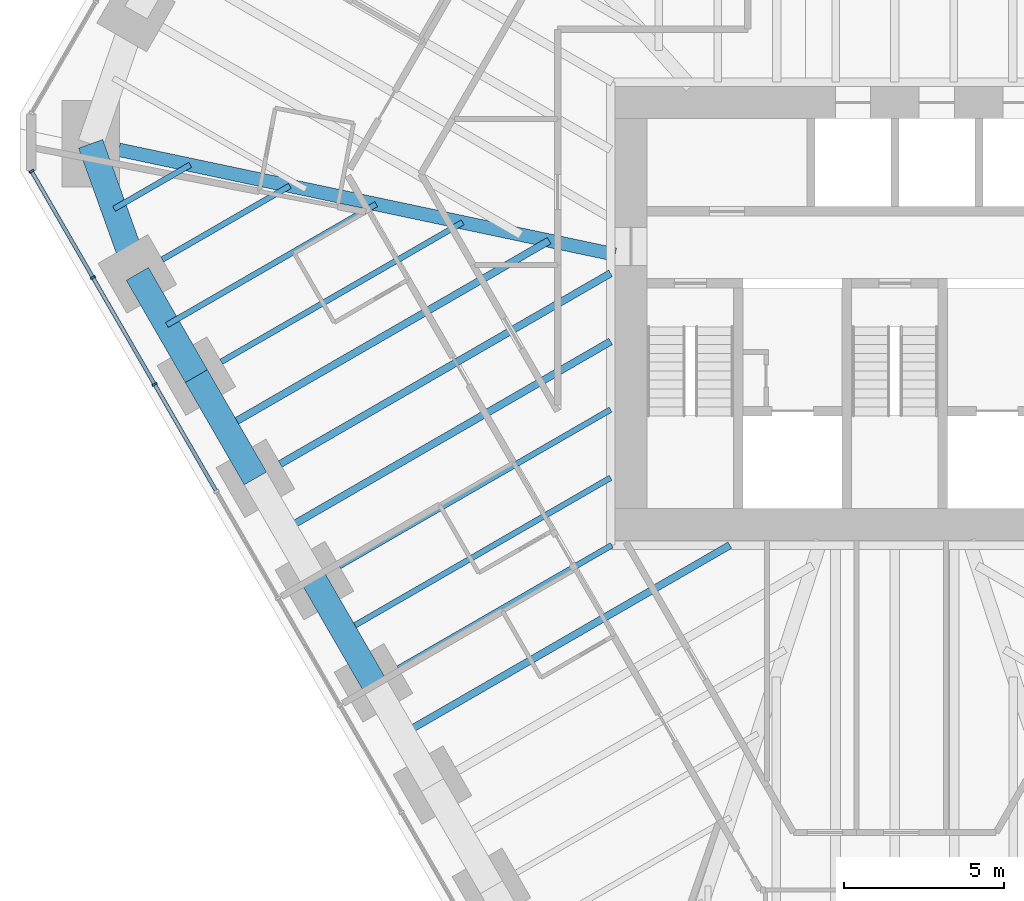
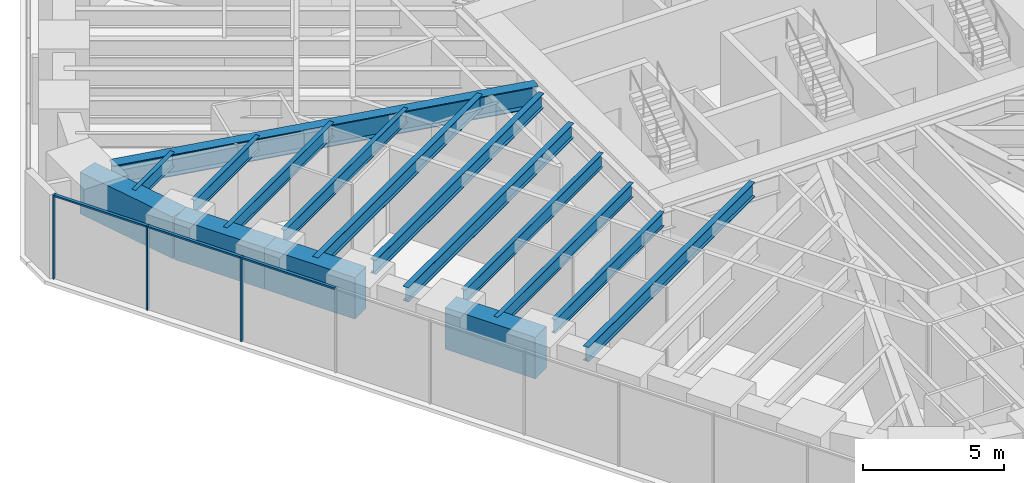
# One storey, part 3 of 16: 16 beams, 6 members, 1 element without a shape of its own.
"""IFC4 building model written with IfcOpenShell, lengths in metres."""

from ifc_helpers import new_model, si_unit, direction, frame, origin, origin_2d, place, context, subcontext, project, spatial, rectangle, i_section, extrude, material, material_profile, profile_set, type_object, element, aggregate, save


model = new_model("IFC4")

# Units and contexts
model_context = context("Model", 3, precision=1e-05, world=origin(), true_north=direction((0.0, 1.0)))
body_context = subcontext(model_context, "Body", "Model", "MODEL_VIEW")
ifc_project = project(units=[si_unit("LENGTHUNIT", "METRE"), si_unit("AREAUNIT", "SQUARE_METRE"), si_unit("VOLUMEUNIT", "CUBIC_METRE"), si_unit("PLANEANGLEUNIT", "RADIAN"), si_unit("MASSUNIT", "GRAM", prefix="KILO")], contexts=[model_context])

# Site, building, storey
site_placement = place(None, origin())
site = spatial("IfcSite", under=ifc_project, at=site_placement, CompositionType="ELEMENT")
building_placement = place(site_placement, origin())
building = spatial("IfcBuilding", under=site, at=building_placement, Name="Sandreach Pilgrim Tower", CompositionType="ELEMENT")
storey_placement = place(building_placement, frame((0.0, 0.0, 183.199951171875)))
storey = spatial("IfcBuildingStorey", under=building, at=storey_placement, Name="L45", CompositionType="ELEMENT", Elevation=183.199951171875)

# Curtain wall, members
ifc_material_1 = material(Name="Aluminium framed curtain wall", Category="aluminium")
curtain_wall_type = type_object("IfcCurtainWallType", Name="Upper hotel tower curtain wall", PredefinedType="NOTDEFINED", material=ifc_material_1)
curtain_wall_placement = place(storey_placement, origin())
curtain_wall = element("IfcCurtainWall", 1, at=curtain_wall_placement, inside=storey, type_object=curtain_wall_type, Name="CW-3 L45 SW", PredefinedType="NOTDEFINED")
ifc_material_2 = material(Name="Aluminium extrusion", Category="aluminium")
ifc_material_profile_1 = material_profile(ifc_material_2, rectangle(XDim=0.06494140625, YDim=0.159912109375, at=origin_2d()), Name="CW-3M 65X160")
ifc_profile_set_1 = profile_set([ifc_material_profile_1], Name="Aluminium extrusion")
member_type_1 = type_object("IfcMemberType", Name="CW-3 mullion", PredefinedType="MULLION", material=ifc_profile_set_1)
member_1_placement = place(storey_placement, frame((-23.15576171875, -2.21337890625, 0.0), z_axis=(0.0, 0.0, 1.0), x_axis=(-0.5, 0.866025403784, 0.0)))
member_1 = element("IfcMember", 2, at=member_1_placement, type_object=member_type_1, Name="CW-3 mullion 8", PredefinedType="MULLION", context=body_context, shape_type="SweptSolid", body=[
    extrude(rectangle(XDim=0.06494140625, YDim=0.159912109375, at=origin_2d()), origin(), (0.0, 0.0, 1.0), 3.64013671875),
])
member_2_placement = place(storey_placement, frame((-25.087890625, 1.13330078125, 0.0), z_axis=(0.0, 0.0, 1.0), x_axis=(-0.5, 0.866025403784, 0.0)))
member_2 = element("IfcMember", 3, at=member_2_placement, type_object=member_type_1, Name="CW-3 mullion 9", PredefinedType="MULLION", context=body_context, shape_type="SweptSolid", body=[
    extrude(rectangle(XDim=0.06494140625, YDim=0.159912109375, at=origin_2d()), origin(), (0.0, 0.0, 1.0), 3.64013671875),
])
member_3_placement = place(storey_placement, frame((-27.00390625, 4.451904296875, 0.0), z_axis=(0.0, 0.0, 1.0), x_axis=(-0.5, 0.866025403784, 0.0)))
member_3 = element("IfcMember", 4, at=member_3_placement, type_object=member_type_1, Name="CW-3 mullion 10", PredefinedType="MULLION", context=body_context, shape_type="SweptSolid", body=[
    extrude(rectangle(XDim=0.06494140625, YDim=0.159912109375, at=origin_2d()), origin(), (0.0, 0.0, 1.0), 3.64013671875),
])
ifc_material_3 = material(Name="Aluminium extrusion", Category="aluminium")
ifc_material_profile_2 = material_profile(ifc_material_3, rectangle(XDim=0.1201171875, YDim=0.070068359375, at=origin_2d()), Name="CW-3T 120X70")
ifc_profile_set_2 = profile_set([ifc_material_profile_2], Name="Aluminium extrusion")
member_type_2 = type_object("IfcMemberType", Name="CW-3 transom", PredefinedType="USERDEFINED", material=ifc_profile_set_2)
member_4_placement = place(storey_placement, frame((-21.23974609375, -5.531982421875, 3.60498046875), z_axis=(-0.499974606132, 0.866040064445, 0.0), x_axis=(-0.866040064445, -0.499974606132, 0.0)))
member_4 = element("IfcMember", 5, at=member_4_placement, type_object=member_type_2, Name="CW-3 head transom 7", ObjectType="TRANSOM", PredefinedType="USERDEFINED", context=body_context, shape_type="SweptSolid", body=[
    extrude(rectangle(XDim=0.1201171875, YDim=0.070068359375, at=origin_2d()), origin(), (0.0, 0.0, 1.0), 3.799560546875),
])
member_5_placement = place(storey_placement, frame((-23.171875, -2.185302734375, 3.60498046875), z_axis=(-0.500022797313, 0.86601224135, 0.0), x_axis=(-0.86601224135, -0.500022797313, 0.0)))
member_5 = element("IfcMember", 6, at=member_5_placement, type_object=member_type_2, Name="CW-3 head transom 8", ObjectType="TRANSOM", PredefinedType="USERDEFINED", context=body_context, shape_type="SweptSolid", body=[
    extrude(rectangle(XDim=0.1201171875, YDim=0.070068359375, at=origin_2d()), origin(), (0.0, 0.0, 1.0), 3.799560546875),
])
member_6_placement = place(storey_placement, frame((-25.104248046875, 1.161376953125, 3.60498046875), z_axis=(-0.499944992379, 0.86605716012, 0.0), x_axis=(-0.86605716012, -0.499944992379, 0.0)))
member_6 = element("IfcMember", 7, at=member_6_placement, type_object=member_type_2, Name="CW-3 head transom 9", ObjectType="TRANSOM", PredefinedType="USERDEFINED", context=body_context, shape_type="SweptSolid", body=[
    extrude(rectangle(XDim=0.1201171875, YDim=0.070068359375, at=origin_2d()), origin(), (0.0, 0.0, 1.0), 3.76708984375),
])
aggregate(curtain_wall, [member_1, member_2, member_3, member_4, member_5, member_6])

# Beams
ifc_material_4 = material(Name="Steel ASTM A992 Grade 50", Category="steel")
ifc_material_profile_3 = material_profile(ifc_material_4, i_section(OverallWidth=0.421630859375, OverallDepth=0.937255859375, WebThickness=0.0224609375, FlangeThickness=0.039794921875, at=origin_2d()), Name="W36X282")
ifc_profile_set_3 = profile_set([ifc_material_profile_3], Name="Steel ASTM A992 Grade 50")
beam_type_1 = type_object("IfcBeamType", Name="Corner girder W36X282", PredefinedType="BEAM", material=ifc_profile_set_3)
beam_1_placement = place(storey_placement, frame((-24.27587890625, 5.12548828125, 3.17138671875), z_axis=(0.978429308752, -0.206581915411, 0.0), x_axis=(0.206581915411, 0.978429308752, 0.0)))
element("IfcBeam", 8, at=beam_1_placement, inside=storey, type_object=beam_type_1, Name="BM L45 CG35", PredefinedType="BEAM", context=body_context, shape_type="SweptSolid", body=[
    extrude(i_section(OverallWidth=0.421630859375, OverallDepth=0.937255859375, WebThickness=0.0224609375, FlangeThickness=0.039794921875, at=origin_2d()), origin(), (0.0, 0.0, 1.0), 15.8681640625),
])
ifc_material_5 = material(Name="Steel ASTM A992 Grade 50", Category="steel")
ifc_material_profile_4 = material_profile(ifc_material_5, i_section(OverallWidth=0.1787109375, OverallDepth=0.60205078125, WebThickness=0.010986328125, FlangeThickness=0.014892578125, at=origin_2d()), Name="W24X62")
ifc_profile_set_4 = profile_set([ifc_material_profile_4], Name="Steel ASTM A992 Grade 50")
beam_type_2 = type_object("IfcBeamType", Name="Floor beam W24X62", PredefinedType="BEAM", material=ifc_profile_set_4)
beam_2_placement = place(storey_placement, frame((-15.531494140625, -11.098876953125, 3.339111328125), z_axis=(0.866036909293, 0.499980071345, 0.0), x_axis=(-0.499980071345, 0.866036909293, 0.0)))
element("IfcBeam", 9, at=beam_2_placement, inside=storey, type_object=beam_type_2, Name="BM L45 F30", PredefinedType="BEAM", context=body_context, shape_type="SweptSolid", body=[
    extrude(i_section(OverallWidth=0.1787109375, OverallDepth=0.60205078125, WebThickness=0.010986328125, FlangeThickness=0.014892578125, at=origin_2d()), origin(), (0.0, 0.0, 1.0), 7.711181640625),
])
beam_3_placement = place(storey_placement, frame((-17.377685546875, -7.901123046875, 3.339111328125), z_axis=(0.866026229868, 0.499998569178, 0.0), x_axis=(-0.499998569178, 0.866026229868, 0.0)))
element("IfcBeam", 10, at=beam_3_placement, inside=storey, type_object=beam_type_2, Name="BM L45 F31", PredefinedType="BEAM", context=body_context, shape_type="SweptSolid", body=[
    extrude(i_section(OverallWidth=0.1787109375, OverallDepth=0.60205078125, WebThickness=0.010986328125, FlangeThickness=0.014892578125, at=origin_2d()), origin(), (0.0, 0.0, 1.0), 9.796875),
])
beam_4_placement = place(storey_placement, frame((-21.070068359375, -1.505615234375, 3.339111328125), z_axis=(0.866018660621, 0.50001167932, 0.0), x_axis=(-0.50001167932, 0.866018660621, 0.0)))
element("IfcBeam", 11, at=beam_4_placement, inside=storey, type_object=beam_type_2, Name="BM L45 F33", PredefinedType="BEAM", context=body_context, shape_type="SweptSolid", body=[
    extrude(i_section(OverallWidth=0.1787109375, OverallDepth=0.60205078125, WebThickness=0.010986328125, FlangeThickness=0.014892578125, at=origin_2d()), origin(), (0.0, 0.0, 1.0), 8.719482421875),
])
beam_5_placement = place(storey_placement, frame((-22.91650390625, 1.692138671875, 3.339111328125), z_axis=(0.866030286288, 0.49999154316, 0.0), x_axis=(-0.49999154316, 0.866030286288, 0.0)))
element("IfcBeam", 12, at=beam_5_placement, inside=storey, type_object=beam_type_2, Name="BM L45 F34", PredefinedType="BEAM", context=body_context, shape_type="SweptSolid", body=[
    extrude(i_section(OverallWidth=0.1787109375, OverallDepth=0.60205078125, WebThickness=0.010986328125, FlangeThickness=0.014892578125, at=origin_2d()), origin(), (0.0, 0.0, 1.0), 4.607421875),
])
beam_6_placement = place(storey_placement, frame((-17.23388671875, -9.949951171875, 3.339111328125), z_axis=(0.866025593094, 0.499999672107, 0.0), x_axis=(-0.499999672107, 0.866025593094, 0.0)))
element("IfcBeam", 13, at=beam_6_placement, inside=storey, type_object=beam_type_2, Name="BM L45 FM30", PredefinedType="BEAM", context=body_context, shape_type="SweptSolid", body=[
    extrude(i_section(OverallWidth=0.1787109375, OverallDepth=0.60205078125, WebThickness=0.010986328125, FlangeThickness=0.014892578125, at=origin_2d()), origin(), (0.0, 0.0, 1.0), 9.630859375),
])
beam_7_placement = place(storey_placement, frame((-22.772705078125, -0.356689453125, 3.339111328125), z_axis=(0.866029704776, 0.49999255039, 0.0), x_axis=(-0.49999255039, 0.866029704776, 0.0)))
element("IfcBeam", 14, at=beam_7_placement, inside=storey, type_object=beam_type_2, Name="BM L45 FM33", PredefinedType="BEAM", context=body_context, shape_type="SweptSolid", body=[
    extrude(i_section(OverallWidth=0.1787109375, OverallDepth=0.60205078125, WebThickness=0.010986328125, FlangeThickness=0.014892578125, at=origin_2d()), origin(), (0.0, 0.0, 1.0), 7.5634765625),
])
beam_8_placement = place(storey_placement, frame((-24.42626953125, 3.27685546875, 3.339111328125), z_axis=(0.866046803606, 0.49996293259, 0.0), x_axis=(-0.49996293259, 0.866046803606, 0.0)))
element("IfcBeam", 15, at=beam_8_placement, inside=storey, type_object=beam_type_2, Name="BM L45 FM34", PredefinedType="BEAM", context=body_context, shape_type="SweptSolid", body=[
    extrude(i_section(OverallWidth=0.1787109375, OverallDepth=0.60205078125, WebThickness=0.010986328125, FlangeThickness=0.014892578125, at=origin_2d()), origin(), (0.0, 0.0, 1.0), 2.753662109375),
])
ifc_material_6 = material(Name="Steel ASTM A992 Grade 50", Category="steel")
ifc_material_profile_5 = material_profile(ifc_material_6, i_section(OverallWidth=0.23046875, OverallDepth=0.6171875, WebThickness=0.01318359375, FlangeThickness=0.022216796875, at=origin_2d()), Name="W24X94")
ifc_profile_set_5 = profile_set([ifc_material_profile_5], Name="Steel ASTM A992 Grade 50")
beam_type_3 = type_object("IfcBeamType", Name="Floor beam W24X94", PredefinedType="BEAM", material=ifc_profile_set_5)
beam_9_placement = place(storey_placement, frame((-19.223876953125, -4.703369140625, 3.33154296875), z_axis=(0.866025397497, 0.500000010891, 0.0), x_axis=(-0.500000010891, 0.866025397497, 0.0)))
element("IfcBeam", 16, at=beam_9_placement, inside=storey, type_object=beam_type_3, Name="BM L45 F32", PredefinedType="BEAM", context=body_context, shape_type="SweptSolid", body=[
    extrude(i_section(OverallWidth=0.23046875, OverallDepth=0.6171875, WebThickness=0.01318359375, FlangeThickness=0.022216796875, at=origin_2d()), origin(), (0.0, 0.0, 1.0), 11.9287109375),
])
beam_10_placement = place(storey_placement, frame((-15.3876953125, -13.14794921875, 3.33154296875), z_axis=(0.866022050506, 0.500005808004, 0.0), x_axis=(-0.500005808004, 0.866022050506, 0.0)))
element("IfcBeam", 17, at=beam_10_placement, inside=storey, type_object=beam_type_3, Name="BM L45 FM29", PredefinedType="BEAM", context=body_context, shape_type="SweptSolid", body=[
    extrude(i_section(OverallWidth=0.23046875, OverallDepth=0.6171875, WebThickness=0.01318359375, FlangeThickness=0.022216796875, at=origin_2d()), origin(), (0.0, 0.0, 1.0), 11.808837890625),
])
beam_11_placement = place(storey_placement, frame((-19.080322265625, -6.752197265625, 3.33154296875), z_axis=(0.866030053141, 0.499991946992, 0.0), x_axis=(-0.499991946992, 0.866030053141, 0.0)))
element("IfcBeam", 18, at=beam_11_placement, inside=storey, type_object=beam_type_3, Name="BM L45 FM31", PredefinedType="BEAM", context=body_context, shape_type="SweptSolid", body=[
    extrude(i_section(OverallWidth=0.23046875, OverallDepth=0.6171875, WebThickness=0.01318359375, FlangeThickness=0.022216796875, at=origin_2d()), origin(), (0.0, 0.0, 1.0), 11.762939453125),
])
beam_12_placement = place(storey_placement, frame((-20.926513671875, -3.554443359375, 3.33154296875), z_axis=(0.866026454974, 0.499998179282, 0.0), x_axis=(-0.499998179282, 0.866026454974, 0.0)))
element("IfcBeam", 19, at=beam_12_placement, inside=storey, type_object=beam_type_3, Name="BM L45 FM32", PredefinedType="BEAM", context=body_context, shape_type="SweptSolid", body=[
    extrude(i_section(OverallWidth=0.23046875, OverallDepth=0.6171875, WebThickness=0.01318359375, FlangeThickness=0.022216796875, at=origin_2d()), origin(), (0.0, 0.0, 1.0), 11.67578125),
])
ifc_material_7 = material(Name="Concrete 10000 psi", Category="concrete")
ifc_material_profile_6 = material_profile(ifc_material_7, rectangle(XDim=0.800048828125, YDim=1.800048828125, at=origin_2d()), Name="RC800X1800")
ifc_profile_set_6 = profile_set([ifc_material_profile_6], Name="Concrete 10000 psi")
beam_type_4 = type_object("IfcBeamType", Name="Spandrel beam RC800X1800", PredefinedType="SPANDREL", material=ifc_profile_set_6)
beam_13_placement = place(storey_placement, frame((-16.310791015625, -11.548828125, 2.739990234375), z_axis=(-0.500042951019, 0.866000604582, 0.0), x_axis=(-0.866000604582, -0.500042951019, 0.0)))
element("IfcBeam", 20, at=beam_13_placement, inside=storey, type_object=beam_type_4, Name="BM L45 SP30", PredefinedType="SPANDREL", context=body_context, shape_type="SweptSolid", body=[
    extrude(rectangle(XDim=0.800048828125, YDim=1.800048828125, at=origin_2d()), origin(), (0.0, 0.0, 1.0), 3.692626953125),
])
for number, where, z_axis, x_axis, name in (
    (21, (-20.00341796875, -5.1533203125, 2.739990234375), (-0.499993363642, 0.866029235253, 0.0), (-0.866029235253, -0.499993363642, 0.0), "BM L45 SP32"),
    (22, (-21.849609375, -1.95556640625, 2.739990234375), (-0.499993363642, 0.866029235253, 0.0), (-0.866029235253, -0.499993363642, 0.0), "BM L45 SP33"),
):
    element("IfcBeam", number, at=place(storey_placement, frame(where, z_axis=z_axis, x_axis=x_axis)), inside=storey, type_object=beam_type_4, Name=name, PredefinedType="SPANDREL", context=body_context, shape_type="SweptSolid", body=[
        extrude(rectangle(XDim=0.800048828125, YDim=1.800048828125, at=origin_2d()), origin(), (0.0, 0.0, 1.0), 3.6923828125),
    ])
beam_14_placement = place(storey_placement, frame((-23.69580078125, 1.2421875, 2.739990234375), z_axis=(-0.337863470932, 0.941195131208, 0.0), x_axis=(-0.941195131208, -0.337863470932, 0.0)))
element("IfcBeam", 23, at=beam_14_placement, inside=storey, type_object=beam_type_4, Name="BM L45 SP34", PredefinedType="SPANDREL", context=body_context, shape_type="SweptSolid", body=[
    extrude(rectangle(XDim=0.800048828125, YDim=1.800048828125, at=origin_2d()), origin(), (0.0, 0.0, 1.0), 4.3232421875),
])

save(model, "model.ifc")
